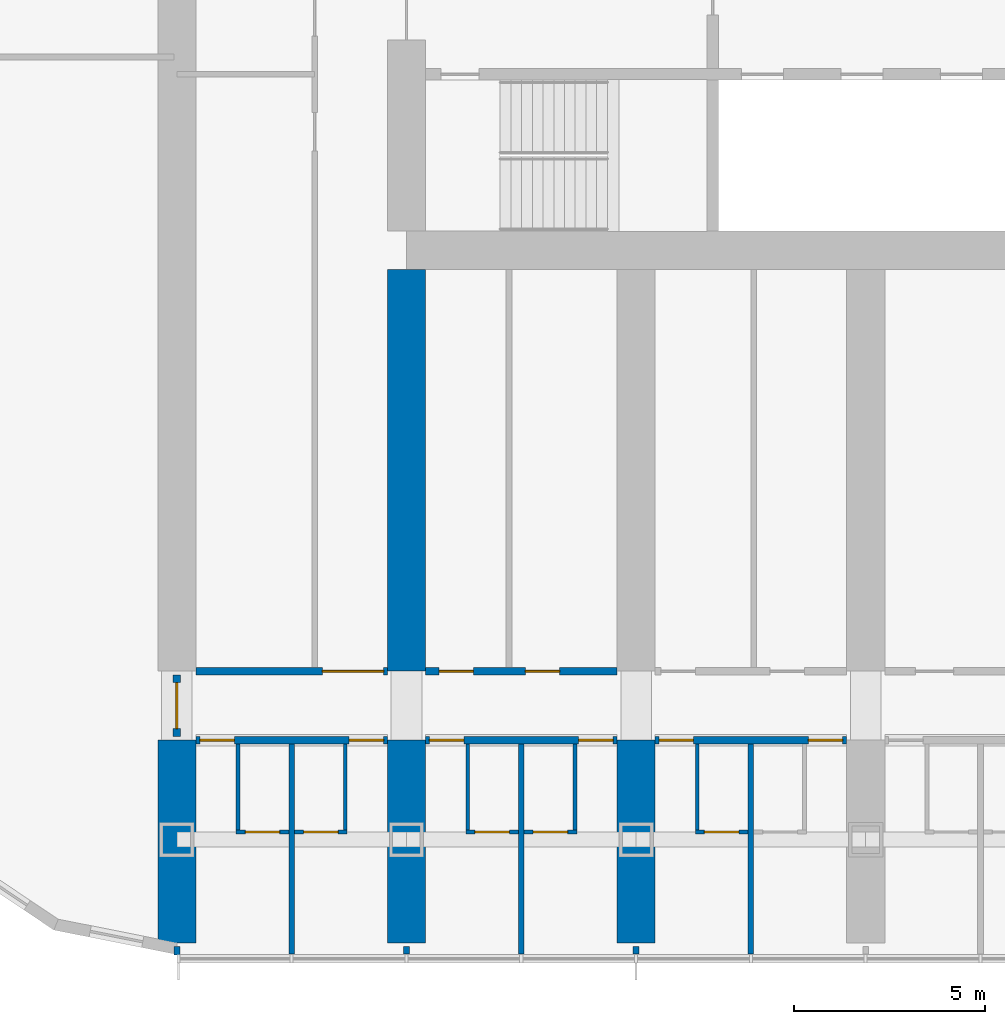
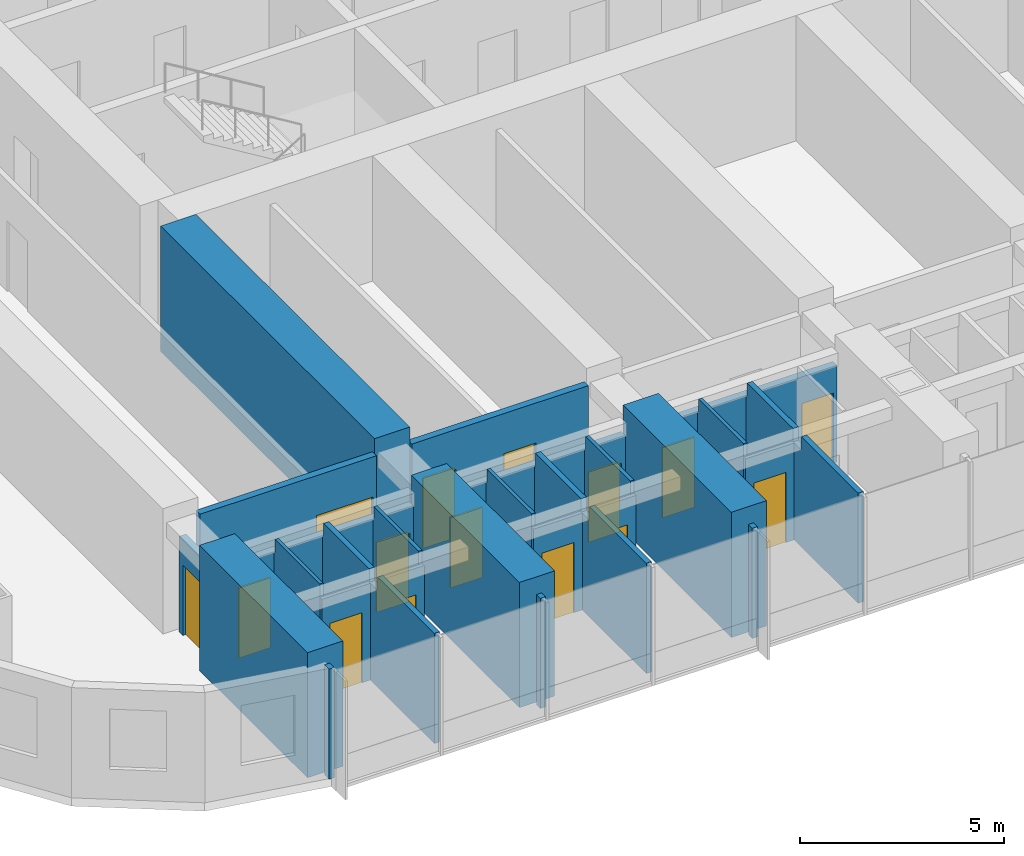
# One storey, part 10 of 24: 26 walls, 15 doors, 15 openings.
"""IFC4 building model written with IfcOpenShell, lengths in metres."""

import ifcopenshell
import ifcopenshell.guid

model = None  # the IFC model being written
_history = None  # IfcOwnerHistory: only IFC2X3 demands one
_inside = {}  # id of a spatial element -> (the spatial element, [elements in it])
_under = {}  # id of a project, library or spatial element -> (it, [spatial elements below it])
_declared = {}  # id of a project -> (the project, [libraries it declares])
_typed = {}  # id of a type object -> (the type object, [elements of that type])
_made_of = {}  # id of a material, layer set ... -> (it, [elements and type objects made of it])


def new_model(schema):
    """Start an empty IFC model of exactly this schema.

    Asked for "IFC4X3", IfcOpenShell would pick the latest addendum, in which some entities
    have other attributes; the version numbers below select the first issue.
    IFC2X3 requires an IfcOwnerHistory on every rooted entity: one is made here for all.
    """
    global model, _history
    if schema == "IFC4X3":
        model = ifcopenshell.file(schema_version=(4, 3, 0, 0))
    else:
        model = ifcopenshell.file(schema=schema)
    _inside.clear()
    _under.clear()
    _declared.clear()
    _typed.clear()
    _made_of.clear()
    _history = None
    if model.schema == "IFC2X3":
        org = make("IfcOrganization", Name="unknown")
        user = make(
            "IfcPersonAndOrganization",
            ThePerson=make("IfcPerson", FamilyName="unknown"),
            TheOrganization=org,
        )
        app = make(
            "IfcApplication",
            ApplicationDeveloper=org,
            Version="unknown",
            ApplicationFullName="unknown",
            ApplicationIdentifier="unknown",
        )
        _history = make(
            "IfcOwnerHistory",
            OwningUser=user,
            OwningApplication=app,
            ChangeAction="ADDED",
            CreationDate=0,
        )
    return model


def make(cls, **values):
    """One entity of the class cls with the attributes given. An attribute that is None is left unset."""
    return model.create_entity(
        cls, **{name: value for name, value in values.items() if value is not None}
    )


def rooted(cls, **values):
    """An entity with a GlobalId (a new one), such as an element, a storey or a relation."""
    return make(cls, GlobalId=ifcopenshell.guid.new(), OwnerHistory=_history, **values)


def si_unit(unit_type, name, prefix=None):
    """IfcSIUnit, for example si_unit("LENGTHUNIT", "METRE", prefix="MILLI")."""
    return make("IfcSIUnit", UnitType=unit_type, Prefix=prefix, Name=name)


def assignment(units):
    """IfcUnitAssignment: the units of a project."""
    return None if units is None else make("IfcUnitAssignment", Units=units)


def point(xyz):
    """IfcCartesianPoint."""
    return None if xyz is None else make("IfcCartesianPoint", Coordinates=xyz)


def direction(xyz):
    """IfcDirection."""
    return None if xyz is None else make("IfcDirection", DirectionRatios=xyz)


def frame(location, z_axis=None, x_axis=None):
    """IfcAxis2Placement3D, a coordinate frame: its origin and axes. An axis left out is left unset."""
    return make(
        "IfcAxis2Placement3D",
        Location=point(location),
        Axis=direction(z_axis),
        RefDirection=direction(x_axis),
    )


def frame_2d(location, x_axis=None):
    """IfcAxis2Placement2D, a coordinate frame in the plane: its origin and x axis."""
    return make(
        "IfcAxis2Placement2D", Location=point(location), RefDirection=direction(x_axis)
    )


def origin():
    """The frame at (0, 0, 0) with its axes left unset."""
    return frame((0.0, 0.0, 0.0))


def place(relative_to, where):
    """IfcLocalPlacement: puts the frame where relative to a parent placement (None: the world)."""
    return make(
        "IfcLocalPlacement", PlacementRelTo=relative_to, RelativePlacement=where
    )


def context(
    kind, dimensions, precision=None, world=None, true_north=None, identifier=None
):
    """IfcGeometricRepresentationContext, for example the 3D "Model" context."""
    return make(
        "IfcGeometricRepresentationContext",
        ContextIdentifier=identifier,
        ContextType=kind,
        CoordinateSpaceDimension=dimensions,
        Precision=precision,
        WorldCoordinateSystem=world,
        TrueNorth=true_north,
    )


def subcontext(parent, identifier, kind, view, scale=None):
    """IfcGeometricRepresentationSubContext, for example "Body" below "Model"."""
    return make(
        "IfcGeometricRepresentationSubContext",
        ContextIdentifier=identifier,
        ContextType=kind,
        ParentContext=parent,
        TargetScale=scale,
        TargetView=view,
    )


def project(units=None, contexts=None):
    """IfcProject with its units and contexts."""
    return rooted(
        "IfcProject",
        Name="project",
        RepresentationContexts=contexts,
        UnitsInContext=assignment(units),
    )


def spatial(cls, under=None, at=None, **own):
    """A site, building, storey or space (cls), placed at a placement, below another one or the project."""
    s = rooted(cls, ObjectPlacement=at, **own)
    if under is not None:
        _under.setdefault(under.id(), (under, []))[1].append(s)
    return s


def polyline(points):
    """IfcPolyline through the points."""
    return make("IfcPolyline", Points=[point(p) for p in points])


def profile(cls, at=None, kind="AREA", **sizes):
    """A parametric profile (cls). Its sizes go by their IFC names, for example OverallWidth=200.0."""
    return make(cls, ProfileType=kind, Position=at, **sizes)


def rectangle(**sizes):
    """IfcRectangleProfileDef."""
    return profile("IfcRectangleProfileDef", **sizes)


def outline(outer, holes=None, kind="AREA"):
    """IfcArbitraryClosedProfileDef: a profile drawn as a closed curve; with holes, ...WithVoids."""
    if holes is None:
        return make("IfcArbitraryClosedProfileDef", ProfileType=kind, OuterCurve=outer)
    return make(
        "IfcArbitraryProfileDefWithVoids",
        ProfileType=kind,
        OuterCurve=outer,
        InnerCurves=holes,
    )


def extrude(swept, where, along, depth):
    """IfcExtrudedAreaSolid: the profile swept, set in the frame where, extruded along a direction by depth."""
    return make(
        "IfcExtrudedAreaSolid",
        SweptArea=swept,
        Position=where,
        ExtrudedDirection=direction(along),
        Depth=depth,
    )


def shape(context_of_items, identifier, shape_type, items):
    """IfcShapeRepresentation: the items that make up one representation, for example the "Body"."""
    return make(
        "IfcShapeRepresentation",
        ContextOfItems=context_of_items,
        RepresentationIdentifier=identifier,
        RepresentationType=shape_type,
        Items=items,
    )


def material(Name=None, Category=None):
    """IfcMaterial."""
    return make("IfcMaterial", Name=Name, Category=Category)


def layer(
    of_material, thickness, ventilated=None, Name=None, Category=None, Priority=None
):
    """IfcMaterialLayer: one layer of a wall or slab, of a material (None: an air gap)."""
    return make(
        "IfcMaterialLayer",
        Material=of_material,
        LayerThickness=thickness,
        IsVentilated=ventilated,
        Name=Name,
        Category=Category,
        Priority=Priority,
    )


def layer_set(layers, Name=None):
    """IfcMaterialLayerSet."""
    return make("IfcMaterialLayerSet", MaterialLayers=layers, LayerSetName=Name)


def made_of(thing, what):
    """Note that an element or type object is made of a material, layer set ...; save() writes the relation."""
    if what is not None:
        _made_of.setdefault(what.id(), (what, []))[1].append(thing)
    return thing


def type_object(cls, material=None, **own):
    """A type object (cls), such as IfcWallType, which elements share."""
    return made_of(rooted(cls, **own), material)


def element(
    cls,
    number,
    at=None,
    inside=None,
    cuts=None,
    type_object=None,
    material=None,
    context=None,
    identifier="Body",
    shape_type=None,
    held_by="IfcProductDefinitionShape",
    body=None,
    shapes=None,
    **own,
):
    """One element of the class cls, such as IfcWall. Its Tag is "e" and its number.

    at: its placement. inside: the storey or other place that contains it. cuts: it is an
    opening in that element (IfcRelVoidsElement). A single representation is given by context,
    identifier, shape_type and body (its items); several are given by shapes. held_by: the class
    of the entity that holds the representations. save() writes the other relations.
    """
    e = rooted(cls, Tag="e%d" % number, ObjectPlacement=at, **own)
    if body is not None:
        shapes = [shape(context, identifier, shape_type, body)]
    if shapes is not None:
        e.Representation = make(held_by, Representations=shapes)
    if inside is not None:
        _inside.setdefault(inside.id(), (inside, []))[1].append(e)
    if cuts is not None:
        rooted(
            "IfcRelVoidsElement", RelatingBuildingElement=cuts, RelatedOpeningElement=e
        )
    if type_object is not None:
        _typed.setdefault(type_object.id(), (type_object, []))[1].append(e)
    return made_of(e, material)


def fill(opening, filler):
    """IfcRelFillsElement: the door or window that sits in an opening."""
    return rooted(
        "IfcRelFillsElement",
        RelatingOpeningElement=opening,
        RelatedBuildingElement=filler,
    )


def aggregate(whole, parts):
    """IfcRelAggregates: a whole, such as a stair, and the parts it consists of."""
    return rooted("IfcRelAggregates", RelatingObject=whole, RelatedObjects=parts)


def save(model, path):
    """Write the relations noted so far, then the file.

    IfcRelAggregates (storeys below a building ...), IfcRelContainedInSpatialStructure (elements
    in a storey), IfcRelDefinesByType, IfcRelAssociatesMaterial and IfcRelDeclares: one each for
    every whole, place, type object, material and project.
    """
    for whole, parts in _under.values():
        aggregate(whole, parts)
    for where, things in _inside.values():
        rooted(
            "IfcRelContainedInSpatialStructure",
            RelatedElements=things,
            RelatingStructure=where,
        )
    for kind, things in _typed.values():
        rooted("IfcRelDefinesByType", RelatedObjects=things, RelatingType=kind)
    for what, things in _made_of.values():
        rooted("IfcRelAssociatesMaterial", RelatedObjects=things, RelatingMaterial=what)
    for by, libraries in _declared.values():
        rooted("IfcRelDeclares", RelatingContext=by, RelatedDefinitions=libraries)
    model.write(path)


model = new_model("IFC4")

# Units and contexts
model_context = context("Model", 3, precision=1e-05, world=origin(), true_north=direction((0.0, 1.0)))
body_context = subcontext(model_context, "Body", "Model", "MODEL_VIEW")
ifc_project = project(units=[si_unit("LENGTHUNIT", "METRE"), si_unit("AREAUNIT", "SQUARE_METRE"), si_unit("VOLUMEUNIT", "CUBIC_METRE"), si_unit("PLANEANGLEUNIT", "RADIAN"), si_unit("MASSUNIT", "GRAM", prefix="KILO")], contexts=[model_context])

# Site, building, storey
site_placement = place(None, origin())
site = spatial("IfcSite", under=ifc_project, at=site_placement, CompositionType="ELEMENT")
building_placement = place(site_placement, origin())
building = spatial("IfcBuilding", under=site, at=building_placement, Name="Orbita Commons", CompositionType="ELEMENT")
storey_placement = place(building_placement, frame((0.0, 0.0, 35.199951171875)))
storey = spatial("IfcBuildingStorey", under=building, at=storey_placement, Name="L08", CompositionType="ELEMENT", Elevation=35.199951171875)

# Wall, openings, doors
ifc_material_1 = material(Name="Concrete blockwork", Category="masonry")
ifc_layer_1 = layer(ifc_material_1, 0.199951171875)
ifc_layer_set_1 = layer_set([ifc_layer_1], Name="Concrete blockwork")
wall_type_1 = type_object("IfcWallType", Name="Corridor wall 200 blockwork", PredefinedType="SOLIDWALL", material=ifc_layer_set_1)
wall_1_placement = place(storey_placement, frame((12.5, 13.0, 0.0), z_axis=(0.0, 0.0, 1.0), x_axis=(1.0, 0.0, 0.0)))
wall_1 = element("IfcWall", 1, at=wall_1_placement, inside=storey, type_object=wall_type_1, Name="Corridor wall 200 blockwork L08", PredefinedType="SOLIDWALL", context=body_context, shape_type="SweptSolid", body=[
    extrude(outline(polyline([(0.0, 0.0), (5.0, 0.0), (5.0, 2.900146484375), (0.0, 2.900146484375), (0.0, 0.0)])), frame((0.0, 0.10009765625, 0.0), z_axis=(0.0, -1.0, 0.0), x_axis=(1.0, 0.0, 0.0)), (0.0, 0.0, 1.0), 0.199951171875),
])
opening_1_placement = place(wall_1_placement, frame((0.10009765625, 0.0, 0.0)))
opening_1 = element("IfcOpeningElement", 2, at=opening_1_placement, cuts=wall_1, Name="Opening D11", PredefinedType="OPENING", context=body_context, shape_type="SweptSolid", body=[
    extrude(rectangle(XDim=0.89990234375, YDim=2.10009765625, at=frame_2d((0.449951171875, 1.050048828125))), frame((0.0, 0.10986328125, 0.0), z_axis=(0.0, -1.0, 0.0), x_axis=(1.0, 0.0, 0.0)), (0.0, 0.0, 1.0), 0.219970703125),
])
opening_2_placement = place(wall_1_placement, frame((4.0, 0.0, 0.0)))
opening_2 = element("IfcOpeningElement", 3, at=opening_2_placement, cuts=wall_1, Name="Opening D11", PredefinedType="OPENING", context=body_context, shape_type="SweptSolid", body=[
    extrude(rectangle(XDim=0.89990234375, YDim=2.10009765625, at=frame_2d((0.449951171875, 1.050048828125))), frame((0.0, 0.10986328125, 0.0), z_axis=(0.0, -1.0, 0.0), x_axis=(1.0, 0.0, 0.0)), (0.0, 0.0, 1.0), 0.219970703125),
])
ifc_material_2 = material(Name="Steel-faced fire door leaf", Category="steel")
door_type_1 = type_object("IfcDoorType", Name="Corridor door 20 min 900x2100", OperationType="SINGLE_SWING_LEFT", PredefinedType="DOOR", material=ifc_material_2)
door_1_placement = place(opening_1_placement, origin())
door_1 = element("IfcDoor", 4, at=door_1_placement, inside=storey, type_object=door_type_1, Name="House bedroom L08-S00 door", OperationType="SINGLE_SWING_LEFT", OverallHeight=2.10009765625, OverallWidth=0.89990234375, PredefinedType="DOOR", context=body_context, shape_type="SweptSolid", body=[
    extrude(rectangle(XDim=0.89990234375, YDim=2.10009765625, at=frame_2d((0.449951171875, 1.050048828125))), frame((0.0, 0.02490234375, 0.0), z_axis=(0.0, -1.0, 0.0), x_axis=(1.0, 0.0, 0.0)), (0.0, 0.0, 1.0), 0.050048828125),
])
fill(opening_1, door_1)
door_2_placement = place(opening_2_placement, origin())
door_2 = element("IfcDoor", 5, at=door_2_placement, inside=storey, type_object=door_type_1, Name="House bedroom L08-S01 door", OperationType="SINGLE_SWING_LEFT", OverallHeight=2.10009765625, OverallWidth=0.89990234375, PredefinedType="DOOR", context=body_context, shape_type="SweptSolid", body=[
    extrude(rectangle(XDim=0.89990234375, YDim=2.10009765625, at=frame_2d((0.449951171875, 1.050048828125))), frame((0.0, 0.02490234375, 0.0), z_axis=(0.0, -1.0, 0.0), x_axis=(1.0, 0.0, 0.0)), (0.0, 0.0, 1.0), 0.050048828125),
])
fill(opening_2, door_2)

wall_2_placement = place(storey_placement, frame((18.5, 13.0, 0.0), z_axis=(0.0, 0.0, 1.0), x_axis=(1.0, 0.0, 0.0)))
wall_2 = element("IfcWall", 6, at=wall_2_placement, inside=storey, type_object=wall_type_1, Name="Corridor wall 200 blockwork L08", PredefinedType="SOLIDWALL", context=body_context, shape_type="SweptSolid", body=[
    extrude(outline(polyline([(0.0, 0.0), (5.0, 0.0), (5.0, 2.900146484375), (0.0, 2.900146484375), (0.0, 0.0)])), frame((0.0, 0.10009765625, 0.0), z_axis=(0.0, -1.0, 0.0), x_axis=(1.0, 0.0, 0.0)), (0.0, 0.0, 1.0), 0.199951171875),
])
opening_3_placement = place(wall_2_placement, frame((0.10009765625, 0.0, 0.0)))
opening_3 = element("IfcOpeningElement", 7, at=opening_3_placement, cuts=wall_2, Name="Opening D11", PredefinedType="OPENING", context=body_context, shape_type="SweptSolid", body=[
    extrude(rectangle(XDim=0.89990234375, YDim=2.10009765625, at=frame_2d((0.449951171875, 1.050048828125))), frame((0.0, 0.10986328125, 0.0), z_axis=(0.0, -1.0, 0.0), x_axis=(1.0, 0.0, 0.0)), (0.0, 0.0, 1.0), 0.219970703125),
])
opening_4_placement = place(wall_2_placement, frame((4.0, 0.0, 0.0)))
opening_4 = element("IfcOpeningElement", 8, at=opening_4_placement, cuts=wall_2, Name="Opening D11", PredefinedType="OPENING", context=body_context, shape_type="SweptSolid", body=[
    extrude(rectangle(XDim=0.89990234375, YDim=2.10009765625, at=frame_2d((0.449951171875, 1.050048828125))), frame((0.0, 0.10986328125, 0.0), z_axis=(0.0, -1.0, 0.0), x_axis=(1.0, 0.0, 0.0)), (0.0, 0.0, 1.0), 0.219970703125),
])
door_3_placement = place(opening_3_placement, origin())
door_3 = element("IfcDoor", 9, at=door_3_placement, inside=storey, type_object=door_type_1, Name="House bedroom L08-S02 door", OperationType="SINGLE_SWING_LEFT", OverallHeight=2.10009765625, OverallWidth=0.89990234375, PredefinedType="DOOR", context=body_context, shape_type="SweptSolid", body=[
    extrude(rectangle(XDim=0.89990234375, YDim=2.10009765625, at=frame_2d((0.449951171875, 1.050048828125))), frame((0.0, 0.02490234375, 0.0), z_axis=(0.0, -1.0, 0.0), x_axis=(1.0, 0.0, 0.0)), (0.0, 0.0, 1.0), 0.050048828125),
])
fill(opening_3, door_3)
door_4_placement = place(opening_4_placement, origin())
door_4 = element("IfcDoor", 10, at=door_4_placement, inside=storey, type_object=door_type_1, Name="House bedroom L08-S03 door", OperationType="SINGLE_SWING_LEFT", OverallHeight=2.10009765625, OverallWidth=0.89990234375, PredefinedType="DOOR", context=body_context, shape_type="SweptSolid", body=[
    extrude(rectangle(XDim=0.89990234375, YDim=2.10009765625, at=frame_2d((0.449951171875, 1.050048828125))), frame((0.0, 0.02490234375, 0.0), z_axis=(0.0, -1.0, 0.0), x_axis=(1.0, 0.0, 0.0)), (0.0, 0.0, 1.0), 0.050048828125),
])
fill(opening_4, door_4)

wall_3_placement = place(storey_placement, frame((24.5, 13.0, 0.0), z_axis=(0.0, 0.0, 1.0), x_axis=(1.0, 0.0, 0.0)))
wall_3 = element("IfcWall", 11, at=wall_3_placement, inside=storey, type_object=wall_type_1, Name="Corridor wall 200 blockwork L08", PredefinedType="SOLIDWALL", context=body_context, shape_type="SweptSolid", body=[
    extrude(outline(polyline([(0.0, 0.0), (5.0, 0.0), (5.0, 2.900146484375), (0.0, 2.900146484375), (0.0, 0.0)])), frame((0.0, 0.10009765625, 0.0), z_axis=(0.0, -1.0, 0.0), x_axis=(1.0, 0.0, 0.0)), (0.0, 0.0, 1.0), 0.199951171875),
])
opening_5_placement = place(wall_3_placement, frame((0.10009765625, 0.0, 0.0)))
opening_5 = element("IfcOpeningElement", 12, at=opening_5_placement, cuts=wall_3, Name="Opening D11", PredefinedType="OPENING", context=body_context, shape_type="SweptSolid", body=[
    extrude(rectangle(XDim=0.89990234375, YDim=2.10009765625, at=frame_2d((0.449951171875, 1.050048828125))), frame((0.0, 0.10986328125, 0.0), z_axis=(0.0, -1.0, 0.0), x_axis=(1.0, 0.0, 0.0)), (0.0, 0.0, 1.0), 0.219970703125),
])
opening_6_placement = place(wall_3_placement, frame((4.0, 0.0, 0.0)))
opening_6 = element("IfcOpeningElement", 13, at=opening_6_placement, cuts=wall_3, Name="Opening D11", PredefinedType="OPENING", context=body_context, shape_type="SweptSolid", body=[
    extrude(rectangle(XDim=0.89990234375, YDim=2.10009765625, at=frame_2d((0.449951171875, 1.050048828125))), frame((0.0, 0.10986328125, 0.0), z_axis=(0.0, -1.0, 0.0), x_axis=(1.0, 0.0, 0.0)), (0.0, 0.0, 1.0), 0.219970703125),
])
door_5_placement = place(opening_5_placement, origin())
door_5 = element("IfcDoor", 14, at=door_5_placement, inside=storey, type_object=door_type_1, Name="House bedroom L08-S04 door", OperationType="SINGLE_SWING_LEFT", OverallHeight=2.10009765625, OverallWidth=0.89990234375, PredefinedType="DOOR", context=body_context, shape_type="SweptSolid", body=[
    extrude(rectangle(XDim=0.89990234375, YDim=2.10009765625, at=frame_2d((0.449951171875, 1.050048828125))), frame((0.0, 0.02490234375, 0.0), z_axis=(0.0, -1.0, 0.0), x_axis=(1.0, 0.0, 0.0)), (0.0, 0.0, 1.0), 0.050048828125),
])
fill(opening_5, door_5)
door_6_placement = place(opening_6_placement, origin())
door_6 = element("IfcDoor", 15, at=door_6_placement, inside=storey, type_object=door_type_1, Name="House bedroom L08-S05 door", OperationType="SINGLE_SWING_LEFT", OverallHeight=2.10009765625, OverallWidth=0.89990234375, PredefinedType="DOOR", context=body_context, shape_type="SweptSolid", body=[
    extrude(rectangle(XDim=0.89990234375, YDim=2.10009765625, at=frame_2d((0.449951171875, 1.050048828125))), frame((0.0, 0.02490234375, 0.0), z_axis=(0.0, -1.0, 0.0), x_axis=(1.0, 0.0, 0.0)), (0.0, 0.0, 1.0), 0.050048828125),
])
fill(opening_6, door_6)

# Wall, opening, door
wall_4_placement = place(storey_placement, frame((12.0, 13.10009765625, 0.0), z_axis=(0.0, 0.0, 1.0), x_axis=(0.0, 1.0, 0.0)))
wall_4 = element("IfcWall", 16, at=wall_4_placement, inside=storey, type_object=wall_type_1, Name="Corridor wall 200 blockwork L08", PredefinedType="SOLIDWALL", context=body_context, shape_type="SweptSolid", body=[
    extrude(outline(polyline([(0.0, 0.0), (1.599853515625, 0.0), (1.60009765625, 2.85009765625), (0.0, 2.85009765625), (0.0, 0.0)])), frame((0.0, 0.10009765625, 0.0), z_axis=(0.0, -1.0, 0.0), x_axis=(1.0, 0.0, 0.0)), (0.0, 0.0, 1.0), 0.199951171875),
])
opening_7_placement = place(wall_4_placement, frame((0.199951171875, 0.0, 0.0)))
opening_7 = element("IfcOpeningElement", 17, at=opening_7_placement, cuts=wall_4, Name="Opening D12", PredefinedType="OPENING", context=body_context, shape_type="SweptSolid", body=[
    extrude(rectangle(XDim=1.199951171875, YDim=2.10009765625, at=frame_2d((0.60009765625, 1.050048828125))), frame((0.0, 0.10986328125, 0.0), z_axis=(0.0, -1.0, 0.0), x_axis=(1.0, 0.0, 0.0)), (0.0, 0.0, 1.0), 0.219970703125),
])
ifc_material_3 = material(Name="Steel-faced fire door leaf", Category="steel")
door_type_2 = type_object("IfcDoorType", Name="Double corridor door 20 min 1200x2100", OperationType="DOUBLE_DOOR_SINGLE_SWING", PredefinedType="DOOR", material=ifc_material_3)
door_7_placement = place(opening_7_placement, origin())
door_7 = element("IfcDoor", 18, at=door_7_placement, inside=storey, type_object=door_type_2, Name="Lounge doors", OperationType="DOUBLE_DOOR_SINGLE_SWING", OverallHeight=2.10009765625, OverallWidth=1.199951171875, PredefinedType="DOOR", context=body_context, shape_type="SweptSolid", body=[
    extrude(rectangle(XDim=1.199951171875, YDim=2.10009765625, at=frame_2d((0.60009765625, 1.050048828125))), frame((0.0, 0.02490234375, 0.0), z_axis=(0.0, -1.0, 0.0), x_axis=(1.0, 0.0, 0.0)), (0.0, 0.0, 1.0), 0.050048828125),
])
fill(opening_7, door_7)

ifc_material_4 = material(Name="Hollow concrete block 200", Category="concrete")
ifc_layer_2 = layer(ifc_material_4, 0.199951171875)
ifc_layer_set_2 = layer_set([ifc_layer_2], Name="Hollow concrete block 200")
wall_type_2 = type_object("IfcWallType", Name="Corridor wall 200 hollow concrete block", PredefinedType="SOLIDWALL", material=ifc_layer_set_2)
wall_5_placement = place(storey_placement, frame((12.5, 14.800048828125, 0.0), z_axis=(0.0, 0.0, 1.0), x_axis=(1.0, 0.0, 0.0)))
wall_5 = element("IfcWall", 19, at=wall_5_placement, inside=storey, type_object=wall_type_2, Name="Corridor wall 200 hollow concrete block L08", PredefinedType="SOLIDWALL", context=body_context, shape_type="SweptSolid", body=[
    extrude(rectangle(XDim=5.0, YDim=0.199951171875, at=frame_2d((2.5, 0.0))), origin(), (0.0, 0.0, 1.0), 3.300048828125),
])
opening_8_placement = place(wall_5_placement, frame((3.300048828125, 0.0, 0.0)))
opening_8 = element("IfcOpeningElement", 20, at=opening_8_placement, cuts=wall_5, Name="Opening D10", PredefinedType="OPENING", context=body_context, shape_type="SweptSolid", body=[
    extrude(rectangle(XDim=1.60009765625, YDim=2.10009765625, at=frame_2d((0.800048828125, 1.050048828125))), frame((0.0, 0.10986328125, 0.0), z_axis=(0.0, -1.0, 0.0), x_axis=(1.0, 0.0, 0.0)), (0.0, 0.0, 1.0), 0.219970703125),
])
ifc_material_5 = material(Name="Steel-faced fire door leaf", Category="steel")
door_type_3 = type_object("IfcDoorType", Name="Double corridor door 20 min 1600x2100", OperationType="DOUBLE_DOOR_SINGLE_SWING", PredefinedType="DOOR", material=ifc_material_5)
door_8_placement = place(opening_8_placement, origin())
door_8 = element("IfcDoor", 21, at=door_8_placement, inside=storey, type_object=door_type_3, Name="Cross corridor doors", OperationType="DOUBLE_DOOR_SINGLE_SWING", OverallHeight=2.10009765625, OverallWidth=1.60009765625, PredefinedType="DOOR", context=body_context, shape_type="SweptSolid", body=[
    extrude(rectangle(XDim=1.60009765625, YDim=2.10009765625, at=frame_2d((0.800048828125, 1.050048828125))), frame((0.0, 0.02490234375, 0.0), z_axis=(0.0, -1.0, 0.0), x_axis=(1.0, 0.0, 0.0)), (0.0, 0.0, 1.0), 0.050048828125),
])
fill(opening_8, door_8)

# Wall, openings, doors
wall_6_placement = place(storey_placement, frame((18.5, 14.800048828125, 0.0), z_axis=(0.0, 0.0, 1.0), x_axis=(1.0, 0.0, 0.0)))
wall_6 = element("IfcWall", 22, at=wall_6_placement, inside=storey, type_object=wall_type_2, Name="Corridor wall 200 hollow concrete block L08", PredefinedType="SOLIDWALL", context=body_context, shape_type="SweptSolid", body=[
    extrude(rectangle(XDim=5.0, YDim=0.199951171875, at=frame_2d((2.5, 0.0))), origin(), (0.0, 0.0, 1.0), 3.300048828125),
])
opening_9_placement = place(wall_6_placement, frame((0.35009765625, 0.0, 0.0)))
opening_9 = element("IfcOpeningElement", 23, at=opening_9_placement, cuts=wall_6, Name="Opening D11", PredefinedType="OPENING", context=body_context, shape_type="SweptSolid", body=[
    extrude(rectangle(XDim=0.89990234375, YDim=2.10009765625, at=frame_2d((0.449951171875, 1.050048828125))), frame((0.0, 0.10986328125, 0.0), z_axis=(0.0, -1.0, 0.0), x_axis=(1.0, 0.0, 0.0)), (0.0, 0.0, 1.0), 0.219970703125),
])
opening_10_placement = place(wall_6_placement, frame((2.60498046875, 0.0, 0.0)))
opening_10 = element("IfcOpeningElement", 24, at=opening_10_placement, cuts=wall_6, Name="Opening D11", PredefinedType="OPENING", context=body_context, shape_type="SweptSolid", body=[
    extrude(rectangle(XDim=0.89990234375, YDim=2.10009765625, at=frame_2d((0.449951171875, 1.050048828125))), frame((0.0, 0.10986328125, 0.0), z_axis=(0.0, -1.0, 0.0), x_axis=(1.0, 0.0, 0.0)), (0.0, 0.0, 1.0), 0.219970703125),
])
door_9_placement = place(opening_9_placement, origin())
door_9 = element("IfcDoor", 25, at=door_9_placement, inside=storey, type_object=door_type_1, Name="Accessible WC and shower room L08-BDS18n door", OperationType="SINGLE_SWING_LEFT", OverallHeight=2.10009765625, OverallWidth=0.89990234375, PredefinedType="DOOR", context=body_context, shape_type="SweptSolid", body=[
    extrude(rectangle(XDim=0.89990234375, YDim=2.10009765625, at=frame_2d((0.449951171875, 1.050048828125))), frame((0.0, 0.02490234375, 0.0), z_axis=(0.0, -1.0, 0.0), x_axis=(1.0, 0.0, 0.0)), (0.0, 0.0, 1.0), 0.050048828125),
])
fill(opening_9, door_9)
door_10_placement = place(opening_10_placement, origin())
door_10 = element("IfcDoor", 26, at=door_10_placement, inside=storey, type_object=door_type_1, Name="Group meeting room L08-BDS18 door", OperationType="SINGLE_SWING_LEFT", OverallHeight=2.10009765625, OverallWidth=0.89990234375, PredefinedType="DOOR", context=body_context, shape_type="SweptSolid", body=[
    extrude(rectangle(XDim=0.89990234375, YDim=2.10009765625, at=frame_2d((0.449951171875, 1.050048828125))), frame((0.0, 0.02490234375, 0.0), z_axis=(0.0, -1.0, 0.0), x_axis=(1.0, 0.0, 0.0)), (0.0, 0.0, 1.0), 0.050048828125),
])
fill(opening_10, door_10)

# Walls
ifc_material_6 = material(Name="Concrete C50/60", Category="concrete")
ifc_layer_3 = layer(ifc_material_6, 1.0)
ifc_layer_set_3 = layer_set([ifc_layer_3], Name="Concrete C50/60")
wall_type_3 = type_object("IfcWallType", Name="Cross wall 1000 C50/60", PredefinedType="SHEAR", material=ifc_layer_set_3)
for number, where, z_axis, x_axis, name in (
    (27, (12.0, 7.699951171875, 0.0), (0.0, 0.0, 1.0), (0.0, 1.0, 0.0), "Cross wall 3 south outer L08"),
    (28, (18.0, 7.699951171875, 0.0), (0.0, 0.0, 1.0), (0.0, 1.0, 0.0), "Cross wall 4 south outer L08"),
):
    element("IfcWall", number, at=place(storey_placement, frame(where, z_axis=z_axis, x_axis=x_axis)), inside=storey, type_object=wall_type_3, Name=name, PredefinedType="SHEAR", context=body_context, shape_type="SweptSolid", body=[
        extrude(rectangle(XDim=5.300048828125, YDim=1.0, at=frame_2d((2.64990234375, 0.0))), origin(), (0.0, 0.0, 1.0), 3.75),
    ])
wall_7_placement = place(storey_placement, frame((18.0, 14.800048828125, 0.0), z_axis=(0.0, 0.0, 1.0), x_axis=(0.0, 1.0, 0.0)))
element("IfcWall", 29, at=wall_7_placement, inside=storey, type_object=wall_type_3, Name="Cross wall 4 south inner L08", PredefinedType="SHEAR", context=body_context, shape_type="SweptSolid", body=[
    extrude(rectangle(XDim=10.5, YDim=1.0, at=frame_2d((5.25, 0.0))), origin(), (0.0, 0.0, 1.0), 3.75),
])
wall_8_placement = place(storey_placement, frame((24.0, 7.699951171875, 0.0), z_axis=(0.0, 0.0, 1.0), x_axis=(0.0, 1.0, 0.0)))
element("IfcWall", 30, at=wall_8_placement, inside=storey, type_object=wall_type_3, Name="Cross wall 5 south outer L08", PredefinedType="SHEAR", context=body_context, shape_type="SweptSolid", body=[
    extrude(rectangle(XDim=5.300048828125, YDim=1.0, at=frame_2d((2.64990234375, 0.0))), origin(), (0.0, 0.0, 1.0), 3.75),
])

# Wall, opening, door
ifc_material_7 = material(Name="Moisture-resistant plasterboard on steel studs", Category="steel")
ifc_layer_4 = layer(ifc_material_7, 0.10009765625)
ifc_layer_set_4 = layer_set([ifc_layer_4], Name="Moisture-resistant plasterboard on steel studs")
wall_type_4 = type_object("IfcWallType", Name="En-suite partition 100", PredefinedType="PARTITIONING", material=ifc_layer_set_4)
wall_9_placement = place(storey_placement, frame((14.925048828125, 10.59814453125, 0.0), z_axis=(0.0, 0.0, 1.0), x_axis=(-1.0, 0.0, 0.0)))
wall_9 = element("IfcWall", 31, at=wall_9_placement, inside=storey, type_object=wall_type_4, Name="En-suite partition 100 L08", PredefinedType="PARTITIONING", context=body_context, shape_type="SweptSolid", body=[
    extrude(outline(polyline([(0.0, 0.0), (1.375, 0.0), (1.375, 2.900146484375), (0.0, 2.900146484375), (0.0, 0.0)])), frame((0.0, 0.050048828125, 0.0), z_axis=(0.0, -1.0, 0.0), x_axis=(1.0, 0.0, 0.0)), (0.0, 0.0, 1.0), 0.10009765625),
])
opening_11_placement = place(wall_9_placement, frame((0.237548828125, 0.0, 0.0)))
opening_11 = element("IfcOpeningElement", 32, at=opening_11_placement, cuts=wall_9, Name="Opening D09", PredefinedType="OPENING", context=body_context, shape_type="SweptSolid", body=[
    extrude(rectangle(XDim=0.89990234375, YDim=2.10009765625, at=frame_2d((0.449951171875, 1.050048828125))), frame((0.0, 0.06005859375, 0.0), z_axis=(0.0, -1.0, 0.0), x_axis=(1.0, 0.0, 0.0)), (0.0, 0.0, 1.0), 0.1201171875),
])
ifc_material_8 = material(Name="Laminated timber door leaf", Category="wood")
door_type_4 = type_object("IfcDoorType", Name="En-suite door 900x2100", OperationType="SINGLE_SWING_RIGHT", PredefinedType="DOOR", material=ifc_material_8)
door_11_placement = place(opening_11_placement, origin())
door_11 = element("IfcDoor", 33, at=door_11_placement, inside=storey, type_object=door_type_4, Name="En-suite L08-S00 door", OperationType="SINGLE_SWING_RIGHT", OverallHeight=2.10009765625, OverallWidth=0.89990234375, PredefinedType="DOOR", context=body_context, shape_type="SweptSolid", body=[
    extrude(rectangle(XDim=0.89990234375, YDim=2.10009765625, at=frame_2d((0.449951171875, 1.050048828125))), frame((0.0, 0.02490234375, 0.0), z_axis=(0.0, -1.0, 0.0), x_axis=(1.0, 0.0, 0.0)), (0.0, 0.0, 1.0), 0.050048828125),
])
fill(opening_11, door_11)

# Wall
wall_10_placement = place(storey_placement, frame((13.60009765625, 10.648193359375, 0.0), z_axis=(0.0, 0.0, 1.0), x_axis=(0.0, 1.0, 0.0)))
element("IfcWall", 34, at=wall_10_placement, inside=storey, type_object=wall_type_4, Name="En-suite partition 100 L08", PredefinedType="PARTITIONING", context=body_context, shape_type="SweptSolid", body=[
    extrude(outline(polyline([(0.0, 0.0), (2.251708984375, 0.0), (2.251953125, 2.900146484375), (2.203857421875, 2.900146484375), (2.201904296875, 3.300048828125), (0.0, 3.300048828125), (0.0, 0.0)])), frame((0.0, 0.050048828125, 0.0), z_axis=(0.0, -1.0, 0.0), x_axis=(1.0, 0.0, 0.0)), (0.0, 0.0, 1.0), 0.10009765625),
])

# Wall, opening, door
wall_11_placement = place(storey_placement, frame((16.449951171875, 10.59814453125, 0.0), z_axis=(0.0, 0.0, 1.0), x_axis=(-1.0, 0.0, 0.0)))
wall_11 = element("IfcWall", 35, at=wall_11_placement, inside=storey, type_object=wall_type_4, Name="En-suite partition 100 L08", PredefinedType="PARTITIONING", context=body_context, shape_type="SweptSolid", body=[
    extrude(outline(polyline([(0.0, 0.0), (1.375, 0.0), (1.375, 2.900146484375), (0.0, 2.900146484375), (0.0, 0.0)])), frame((0.0, 0.050048828125, 0.0), z_axis=(0.0, -1.0, 0.0), x_axis=(1.0, 0.0, 0.0)), (0.0, 0.0, 1.0), 0.10009765625),
])
opening_12_placement = place(wall_11_placement, frame((0.237548828125, 0.0, 0.0)))
opening_12 = element("IfcOpeningElement", 36, at=opening_12_placement, cuts=wall_11, Name="Opening D09", PredefinedType="OPENING", context=body_context, shape_type="SweptSolid", body=[
    extrude(rectangle(XDim=0.89990234375, YDim=2.10009765625, at=frame_2d((0.449951171875, 1.050048828125))), frame((0.0, 0.06005859375, 0.0), z_axis=(0.0, -1.0, 0.0), x_axis=(1.0, 0.0, 0.0)), (0.0, 0.0, 1.0), 0.1201171875),
])
door_12_placement = place(opening_12_placement, origin())
door_12 = element("IfcDoor", 37, at=door_12_placement, inside=storey, type_object=door_type_4, Name="En-suite L08-S01 door", OperationType="SINGLE_SWING_RIGHT", OverallHeight=2.10009765625, OverallWidth=0.89990234375, PredefinedType="DOOR", context=body_context, shape_type="SweptSolid", body=[
    extrude(rectangle(XDim=0.89990234375, YDim=2.10009765625, at=frame_2d((0.449951171875, 1.050048828125))), frame((0.0, 0.02490234375, 0.0), z_axis=(0.0, -1.0, 0.0), x_axis=(1.0, 0.0, 0.0)), (0.0, 0.0, 1.0), 0.050048828125),
])
fill(opening_12, door_12)

# Wall
wall_12_placement = place(storey_placement, frame((16.39990234375, 10.648193359375, 0.0), z_axis=(0.0, 0.0, 1.0), x_axis=(0.0, 1.0, 0.0)))
element("IfcWall", 38, at=wall_12_placement, inside=storey, type_object=wall_type_4, Name="En-suite partition 100 L08", PredefinedType="PARTITIONING", context=body_context, shape_type="SweptSolid", body=[
    extrude(outline(polyline([(0.0, 0.0), (2.251708984375, 0.0), (2.251953125, 2.900146484375), (2.203857421875, 2.900146484375), (2.201904296875, 3.300048828125), (0.0, 3.300048828125), (0.0, 0.0)])), frame((0.0, 0.050048828125, 0.0), z_axis=(0.0, -1.0, 0.0), x_axis=(1.0, 0.0, 0.0)), (0.0, 0.0, 1.0), 0.10009765625),
])

# Wall, opening, door
wall_13_placement = place(storey_placement, frame((20.925048828125, 10.59814453125, 0.0), z_axis=(0.0, 0.0, 1.0), x_axis=(-1.0, 0.0, 0.0)))
wall_13 = element("IfcWall", 39, at=wall_13_placement, inside=storey, type_object=wall_type_4, Name="En-suite partition 100 L08", PredefinedType="PARTITIONING", context=body_context, shape_type="SweptSolid", body=[
    extrude(outline(polyline([(0.0, 0.0), (1.375, 0.0), (1.375, 2.900146484375), (0.0, 2.900146484375), (0.0, 0.0)])), frame((0.0, 0.050048828125, 0.0), z_axis=(0.0, -1.0, 0.0), x_axis=(1.0, 0.0, 0.0)), (0.0, 0.0, 1.0), 0.10009765625),
])
opening_13_placement = place(wall_13_placement, frame((0.237548828125, 0.0, 0.0)))
opening_13 = element("IfcOpeningElement", 40, at=opening_13_placement, cuts=wall_13, Name="Opening D09", PredefinedType="OPENING", context=body_context, shape_type="SweptSolid", body=[
    extrude(rectangle(XDim=0.89990234375, YDim=2.10009765625, at=frame_2d((0.449951171875, 1.050048828125))), frame((0.0, 0.06005859375, 0.0), z_axis=(0.0, -1.0, 0.0), x_axis=(1.0, 0.0, 0.0)), (0.0, 0.0, 1.0), 0.1201171875),
])
door_13_placement = place(opening_13_placement, origin())
door_13 = element("IfcDoor", 41, at=door_13_placement, inside=storey, type_object=door_type_4, Name="En-suite L08-S02 door", OperationType="SINGLE_SWING_RIGHT", OverallHeight=2.10009765625, OverallWidth=0.89990234375, PredefinedType="DOOR", context=body_context, shape_type="SweptSolid", body=[
    extrude(rectangle(XDim=0.89990234375, YDim=2.10009765625, at=frame_2d((0.449951171875, 1.050048828125))), frame((0.0, 0.02490234375, 0.0), z_axis=(0.0, -1.0, 0.0), x_axis=(1.0, 0.0, 0.0)), (0.0, 0.0, 1.0), 0.050048828125),
])
fill(opening_13, door_13)

# Wall
wall_14_placement = place(storey_placement, frame((19.60009765625, 10.648193359375, 0.0), z_axis=(0.0, 0.0, 1.0), x_axis=(0.0, 1.0, 0.0)))
element("IfcWall", 42, at=wall_14_placement, inside=storey, type_object=wall_type_4, Name="En-suite partition 100 L08", PredefinedType="PARTITIONING", context=body_context, shape_type="SweptSolid", body=[
    extrude(outline(polyline([(0.0, 0.0), (2.251708984375, 0.0), (2.251953125, 2.900146484375), (2.203857421875, 2.900146484375), (2.201904296875, 3.300048828125), (0.0, 3.300048828125), (0.0, 0.0)])), frame((0.0, 0.050048828125, 0.0), z_axis=(0.0, -1.0, 0.0), x_axis=(1.0, 0.0, 0.0)), (0.0, 0.0, 1.0), 0.10009765625),
])

# Wall, opening, door
wall_15_placement = place(storey_placement, frame((22.449951171875, 10.59814453125, 0.0), z_axis=(0.0, 0.0, 1.0), x_axis=(-1.0, 0.0, 0.0)))
wall_15 = element("IfcWall", 43, at=wall_15_placement, inside=storey, type_object=wall_type_4, Name="En-suite partition 100 L08", PredefinedType="PARTITIONING", context=body_context, shape_type="SweptSolid", body=[
    extrude(outline(polyline([(0.0, 0.0), (1.375, 0.0), (1.375, 2.900146484375), (0.0, 2.900146484375), (0.0, 0.0)])), frame((0.0, 0.050048828125, 0.0), z_axis=(0.0, -1.0, 0.0), x_axis=(1.0, 0.0, 0.0)), (0.0, 0.0, 1.0), 0.10009765625),
])
opening_14_placement = place(wall_15_placement, frame((0.237548828125, 0.0, 0.0)))
opening_14 = element("IfcOpeningElement", 44, at=opening_14_placement, cuts=wall_15, Name="Opening D09", PredefinedType="OPENING", context=body_context, shape_type="SweptSolid", body=[
    extrude(rectangle(XDim=0.89990234375, YDim=2.10009765625, at=frame_2d((0.449951171875, 1.050048828125))), frame((0.0, 0.06005859375, 0.0), z_axis=(0.0, -1.0, 0.0), x_axis=(1.0, 0.0, 0.0)), (0.0, 0.0, 1.0), 0.1201171875),
])
door_14_placement = place(opening_14_placement, origin())
door_14 = element("IfcDoor", 45, at=door_14_placement, inside=storey, type_object=door_type_4, Name="En-suite L08-S03 door", OperationType="SINGLE_SWING_RIGHT", OverallHeight=2.10009765625, OverallWidth=0.89990234375, PredefinedType="DOOR", context=body_context, shape_type="SweptSolid", body=[
    extrude(rectangle(XDim=0.89990234375, YDim=2.10009765625, at=frame_2d((0.449951171875, 1.050048828125))), frame((0.0, 0.02490234375, 0.0), z_axis=(0.0, -1.0, 0.0), x_axis=(1.0, 0.0, 0.0)), (0.0, 0.0, 1.0), 0.050048828125),
])
fill(opening_14, door_14)

# Wall
wall_16_placement = place(storey_placement, frame((22.39990234375, 10.648193359375, 0.0), z_axis=(0.0, 0.0, 1.0), x_axis=(0.0, 1.0, 0.0)))
element("IfcWall", 46, at=wall_16_placement, inside=storey, type_object=wall_type_4, Name="En-suite partition 100 L08", PredefinedType="PARTITIONING", context=body_context, shape_type="SweptSolid", body=[
    extrude(outline(polyline([(0.0, 0.0), (2.251708984375, 0.0), (2.251953125, 2.900146484375), (2.203857421875, 2.900146484375), (2.201904296875, 3.300048828125), (0.0, 3.300048828125), (0.0, 0.0)])), frame((0.0, 0.050048828125, 0.0), z_axis=(0.0, -1.0, 0.0), x_axis=(1.0, 0.0, 0.0)), (0.0, 0.0, 1.0), 0.10009765625),
])

# Wall, opening, door
wall_17_placement = place(storey_placement, frame((26.925048828125, 10.59814453125, 0.0), z_axis=(0.0, 0.0, 1.0), x_axis=(-1.0, 0.0, 0.0)))
wall_17 = element("IfcWall", 47, at=wall_17_placement, inside=storey, type_object=wall_type_4, Name="En-suite partition 100 L08", PredefinedType="PARTITIONING", context=body_context, shape_type="SweptSolid", body=[
    extrude(outline(polyline([(0.0, 0.0), (1.375, 0.0), (1.375, 2.900146484375), (0.0, 2.900146484375), (0.0, 0.0)])), frame((0.0, 0.050048828125, 0.0), z_axis=(0.0, -1.0, 0.0), x_axis=(1.0, 0.0, 0.0)), (0.0, 0.0, 1.0), 0.10009765625),
])
opening_15_placement = place(wall_17_placement, frame((0.237548828125, 0.0, 0.0)))
opening_15 = element("IfcOpeningElement", 48, at=opening_15_placement, cuts=wall_17, Name="Opening D09", PredefinedType="OPENING", context=body_context, shape_type="SweptSolid", body=[
    extrude(rectangle(XDim=0.89990234375, YDim=2.10009765625, at=frame_2d((0.449951171875, 1.050048828125))), frame((0.0, 0.06005859375, 0.0), z_axis=(0.0, -1.0, 0.0), x_axis=(1.0, 0.0, 0.0)), (0.0, 0.0, 1.0), 0.1201171875),
])
door_15_placement = place(opening_15_placement, origin())
door_15 = element("IfcDoor", 49, at=door_15_placement, inside=storey, type_object=door_type_4, Name="En-suite L08-S04 door", OperationType="SINGLE_SWING_RIGHT", OverallHeight=2.10009765625, OverallWidth=0.89990234375, PredefinedType="DOOR", context=body_context, shape_type="SweptSolid", body=[
    extrude(rectangle(XDim=0.89990234375, YDim=2.10009765625, at=frame_2d((0.449951171875, 1.050048828125))), frame((0.0, 0.02490234375, 0.0), z_axis=(0.0, -1.0, 0.0), x_axis=(1.0, 0.0, 0.0)), (0.0, 0.0, 1.0), 0.050048828125),
])
fill(opening_15, door_15)

# Walls
wall_18_placement = place(storey_placement, frame((25.60009765625, 10.648193359375, 0.0), z_axis=(0.0, 0.0, 1.0), x_axis=(0.0, 1.0, 0.0)))
element("IfcWall", 50, at=wall_18_placement, inside=storey, type_object=wall_type_4, Name="En-suite partition 100 L08", PredefinedType="PARTITIONING", context=body_context, shape_type="SweptSolid", body=[
    extrude(outline(polyline([(0.0, 0.0), (2.251708984375, 0.0), (2.251953125, 2.900146484375), (2.203857421875, 2.900146484375), (2.201904296875, 3.300048828125), (0.0, 3.300048828125), (0.0, 0.0)])), frame((0.0, 0.050048828125, 0.0), z_axis=(0.0, -1.0, 0.0), x_axis=(1.0, 0.0, 0.0)), (0.0, 0.0, 1.0), 0.10009765625),
])
ifc_material_9 = material(Name="Gypsum plasterboard on steel studs", Category="steel")
ifc_layer_5 = layer(ifc_material_9, 0.14990234375)
ifc_layer_set_5 = layer_set([ifc_layer_5], Name="Gypsum plasterboard on steel studs")
wall_type_5 = type_object("IfcWallType", Name="Partition 150 plasterboard", PredefinedType="PARTITIONING", material=ifc_layer_set_5)
wall_19_placement = place(storey_placement, frame((12.0, 7.60009765625, 0.0), z_axis=(0.0, 0.0, 1.0), x_axis=(0.0, -1.0, 0.0)))
element("IfcWall", 51, at=wall_19_placement, inside=storey, type_object=wall_type_5, Name="Partition 150 plasterboard L08", PredefinedType="PARTITIONING", context=body_context, shape_type="SweptSolid", body=[
    extrude(rectangle(XDim=0.22021484375, YDim=0.14990234375, at=frame_2d((0.110107421875, 0.0))), origin(), (0.0, 0.0, 1.0), 3.300048828125),
])
for number, where, z_axis, x_axis, name in (
    (52, (18.0, 7.60009765625, 0.0), (0.0, 0.0, 1.0), (0.0, -1.0, 0.0), "Partition 150 plasterboard L08"),
    (53, (24.0, 7.60009765625, 0.0), (0.0, 0.0, 1.0), (0.0, -1.0, 0.0), "Partition 150 plasterboard L08"),
):
    element("IfcWall", number, at=place(storey_placement, frame(where, z_axis=z_axis, x_axis=x_axis)), inside=storey, type_object=wall_type_5, Name=name, PredefinedType="PARTITIONING", context=body_context, shape_type="SweptSolid", body=[
        extrude(rectangle(XDim=0.190185546875, YDim=0.14990234375, at=frame_2d((0.09521484375, 0.0))), origin(), (0.0, 0.0, 1.0), 3.300048828125),
    ])
ifc_material_10 = material(Name="Gypsum plasterboard on steel studs", Category="steel")
ifc_layer_6 = layer(ifc_material_10, 0.14990234375)
ifc_layer_set_6 = layer_set([ifc_layer_6], Name="Gypsum plasterboard on steel studs")
wall_type_6 = type_object("IfcWallType", Name="Party wall 150 plasterboard", PredefinedType="PARTITIONING", material=ifc_layer_set_6)
for number, where, z_axis, x_axis, name in (
    (54, (15.0, 7.409912109375, 0.0), (0.0, 0.0, 1.0), (0.0, 1.0, 0.0), "Party wall 150 plasterboard L08"),
    (55, (21.0, 7.409912109375, 0.0), (0.0, 0.0, 1.0), (0.0, 1.0, 0.0), "Party wall 150 plasterboard L08"),
    (56, (27.0, 7.409912109375, 0.0), (0.0, 0.0, 1.0), (0.0, 1.0, 0.0), "Party wall 150 plasterboard L08"),
):
    element("IfcWall", number, at=place(storey_placement, frame(where, z_axis=z_axis, x_axis=x_axis)), inside=storey, type_object=wall_type_6, Name=name, PredefinedType="PARTITIONING", context=body_context, shape_type="SweptSolid", body=[
        extrude(outline(polyline([(0.0, 0.0), (5.489990234375, 0.0), (5.489990234375, 2.900146484375), (5.44189453125, 2.900146484375), (5.43994140625, 3.300048828125), (3.19189453125, 3.300048828125), (3.18994140625, 2.900146484375), (2.7919921875, 2.900146484375), (2.7900390625, 3.300048828125), (0.0, 3.300048828125), (0.0, 0.0)])), frame((0.0, 0.074951171875, 0.0), z_axis=(0.0, -1.0, 0.0), x_axis=(1.0, 0.0, 0.0)), (0.0, 0.0, 1.0), 0.14990234375),
    ])

save(model, "model.ifc")
